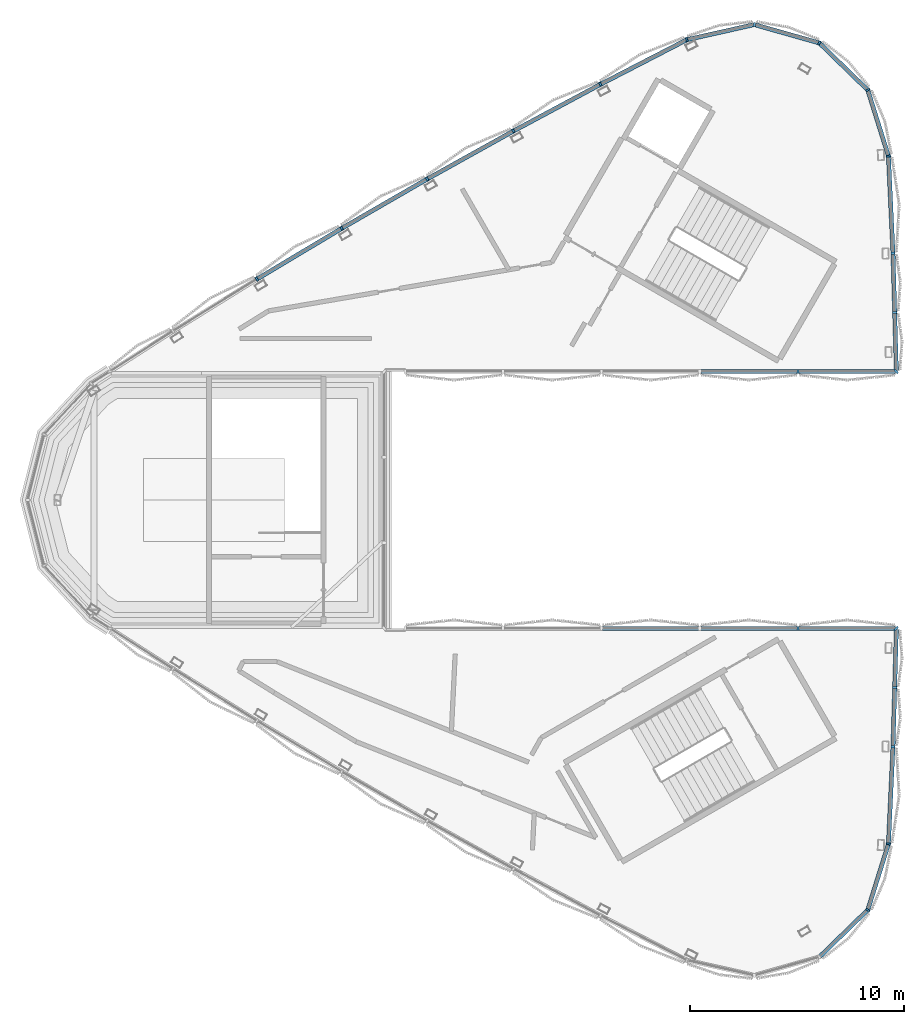
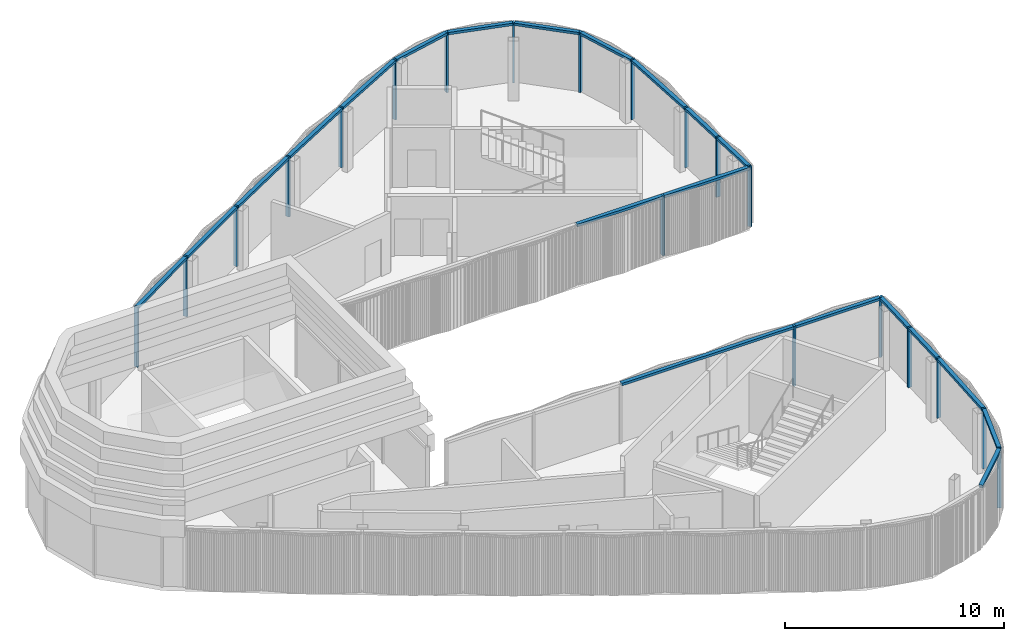
# One storey, part 4 of 16: 39 members, 2 elements without a shape of their own.
"""IFC4 building model written with IfcOpenShell, lengths in metres."""

from ifc_helpers import new_model, si_unit, direction, frame, origin, origin_2d, place, context, subcontext, project, spatial, rectangle, extrude, material, material_profile, profile_set, type_object, element, aggregate, save


model = new_model("IFC4")

# Units and contexts
model_context = context("Model", 3, precision=1e-05, world=origin(), true_north=direction((0.0, 1.0)))
body_context = subcontext(model_context, "Body", "Model", "MODEL_VIEW")
ifc_project = project(units=[si_unit("LENGTHUNIT", "METRE"), si_unit("AREAUNIT", "SQUARE_METRE"), si_unit("VOLUMEUNIT", "CUBIC_METRE"), si_unit("PLANEANGLEUNIT", "RADIAN"), si_unit("MASSUNIT", "GRAM", prefix="KILO")], contexts=[model_context])

# Site, building, storey
site_placement = place(None, origin())
site = spatial("IfcSite", under=ifc_project, at=site_placement, CompositionType="ELEMENT")
building_placement = place(site_placement, origin())
building = spatial("IfcBuilding", under=site, at=building_placement, Name="Tamra Quay Hotel Tower", CompositionType="ELEMENT")
storey_placement = place(building_placement, frame((0.0, 0.0, 327.800048828125)))
storey = spatial("IfcBuildingStorey", under=building, at=storey_placement, Name="Roof crown 3", CompositionType="ELEMENT", Elevation=327.800048828125)

# Curtain wall, members
ifc_material = material(Name="Aluminium 6063 anodised dark grey", Category="aluminium")
curtain_wall_type = type_object("IfcCurtainWallType", Name="CW6 CURTAIN WALL", PredefinedType="NOTDEFINED", material=ifc_material)
curtain_wall_1_placement = place(storey_placement, origin())
curtain_wall_1 = element("IfcCurtainWall", 1, at=curtain_wall_1_placement, inside=storey, type_object=curtain_wall_type, Name="CW6 lantern A face Roof crown 3", PredefinedType="NOTDEFINED")
ifc_material_profile_1 = material_profile(ifc_material, rectangle(XDim=0.199951171875, YDim=0.10009765625, at=origin_2d()), Name="MULLION 100X200")
ifc_profile_set_1 = profile_set([ifc_material_profile_1], Name="Aluminium 6063 anodised dark grey")
member_type_1 = type_object("IfcMemberType", Name="MULLION CW6", PredefinedType="MULLION", material=ifc_profile_set_1)
member_1_placement = place(storey_placement, frame((15.767822265625, 11.528564453125, 0.0), z_axis=(0.0, 0.0, 1.0), x_axis=(0.999287700876, 0.037737128642, 0.0)))
member_1 = element("IfcMember", 2, at=member_1_placement, type_object=member_type_1, Name="CW6 mullion Roof crown 3.A.1", PredefinedType="MULLION", context=body_context, shape_type="SweptSolid", body=[
    extrude(rectangle(XDim=0.199951171875, YDim=0.10009765625, at=origin_2d()), origin(), (0.0, 0.0, 1.0), 3.349853515625),
])
member_2_placement = place(storey_placement, frame((15.555419921875, 16.063720703125, 0.0), z_axis=(0.0, 0.0, 1.0), x_axis=(0.984739916253, 0.174032460585, 0.0)))
member_2 = element("IfcMember", 3, at=member_2_placement, type_object=member_type_1, Name="CW6 mullion Roof crown 3.A.2", PredefinedType="MULLION", context=body_context, shape_type="SweptSolid", body=[
    extrude(rectangle(XDim=0.199951171875, YDim=0.10009765625, at=origin_2d()), origin(), (0.0, 0.0, 1.0), 3.349853515625),
])
member_3_placement = place(storey_placement, frame((14.5908203125, 19.149169921875, 0.0), z_axis=(0.0, 0.0, 1.0), x_axis=(0.851964184595, 0.523600065094, 0.0)))
member_3 = element("IfcMember", 4, at=member_3_placement, type_object=member_type_1, Name="CW6 mullion Roof crown 3.A.3", PredefinedType="MULLION", context=body_context, shape_type="SweptSolid", body=[
    extrude(rectangle(XDim=0.199951171875, YDim=0.10009765625, at=origin_2d()), origin(), (0.0, 0.0, 1.0), 3.349853515625),
])
member_4_placement = place(storey_placement, frame((12.3271484375, 21.351318359375, 0.0), z_axis=(0.0, 0.0, 1.0), x_axis=(0.5, 0.866025403784, 0.0)))
member_4 = element("IfcMember", 5, at=member_4_placement, type_object=member_type_1, Name="CW6 mullion Roof crown 3.A.4", PredefinedType="MULLION", context=body_context, shape_type="SweptSolid", body=[
    extrude(rectangle(XDim=0.199951171875, YDim=0.10009765625, at=origin_2d()), origin(), (0.0, 0.0, 1.0), 3.349853515625),
])
member_5_placement = place(storey_placement, frame((9.288330078125, 22.21044921875, 0.0), z_axis=(0.0, 0.0, 1.0), x_axis=(0.027468865497, 0.999622659521, 0.0)))
member_5 = element("IfcMember", 6, at=member_5_placement, type_object=member_type_1, Name="CW6 mullion Roof crown 3.A.5", PredefinedType="MULLION", context=body_context, shape_type="SweptSolid", body=[
    extrude(rectangle(XDim=0.199951171875, YDim=0.10009765625, at=origin_2d()), origin(), (0.0, 0.0, 1.0), 3.349853515625),
])
member_6_placement = place(storey_placement, frame((6.134033203125, 21.503173828125, 0.0), z_axis=(0.0, 0.0, 1.0), x_axis=(-0.341653426177, 0.939826013888, 0.0)))
member_6 = element("IfcMember", 7, at=member_6_placement, type_object=member_type_1, Name="CW6 mullion Roof crown 3.A.6", PredefinedType="MULLION", context=body_context, shape_type="SweptSolid", body=[
    extrude(rectangle(XDim=0.199951171875, YDim=0.10009765625, at=origin_2d()), origin(), (0.0, 0.0, 1.0), 3.349853515625),
])
member_7_placement = place(storey_placement, frame((2.10009765625, 19.419677734375, 0.0), z_axis=(0.0, 0.0, 1.0), x_axis=(-0.465815600445, 0.884881814923, 0.0)))
member_7 = element("IfcMember", 8, at=member_7_placement, type_object=member_type_1, Name="CW6 mullion Roof crown 3.A.7", PredefinedType="MULLION", context=body_context, shape_type="SweptSolid", body=[
    extrude(rectangle(XDim=0.199951171875, YDim=0.10009765625, at=origin_2d()), origin(), (0.0, 0.0, 1.0), 3.349853515625),
])
member_8_placement = place(storey_placement, frame((-1.96435546875, 17.239501953125, 0.0), z_axis=(0.0, 0.0, 1.0), x_axis=(-0.479565116943, 0.877506295483, 0.0)))
member_8 = element("IfcMember", 9, at=member_8_placement, type_object=member_type_1, Name="CW6 mullion Roof crown 3.A.8", PredefinedType="MULLION", context=body_context, shape_type="SweptSolid", body=[
    extrude(rectangle(XDim=0.199951171875, YDim=0.10009765625, at=origin_2d()), origin(), (0.0, 0.0, 1.0), 3.349853515625),
])
member_9_placement = place(storey_placement, frame((-5.99462890625, 14.995849609375, 0.0), z_axis=(0.0, 0.0, 1.0), x_axis=(-0.493215722033, 0.869907036148, 0.0)))
member_9 = element("IfcMember", 10, at=member_9_placement, type_object=member_type_1, Name="CW6 mullion Roof crown 3.A.9", PredefinedType="MULLION", context=body_context, shape_type="SweptSolid", body=[
    extrude(rectangle(XDim=0.199951171875, YDim=0.10009765625, at=origin_2d()), origin(), (0.0, 0.0, 1.0), 3.349853515625),
])
member_10_placement = place(storey_placement, frame((-9.989501953125, 12.689453125, 0.0), z_axis=(0.0, 0.0, 1.0), x_axis=(-0.506753731218, 0.862090862901, 0.0)))
member_10 = element("IfcMember", 11, at=member_10_placement, type_object=member_type_1, Name="CW6 mullion Roof crown 3.A.10", PredefinedType="MULLION", context=body_context, shape_type="SweptSolid", body=[
    extrude(rectangle(XDim=0.199951171875, YDim=0.10009765625, at=origin_2d()), origin(), (0.0, 0.0, 1.0), 3.349853515625),
])
member_11_placement = place(storey_placement, frame((-13.947509765625, 10.321044921875, 0.0), z_axis=(0.0, 0.0, 1.0), x_axis=(-0.520160185397, 0.854068721783, 0.0)))
member_11 = element("IfcMember", 12, at=member_11_placement, type_object=member_type_1, Name="CW6 mullion Roof crown 3.A.11", PredefinedType="MULLION", context=body_context, shape_type="SweptSolid", body=[
    extrude(rectangle(XDim=0.199951171875, YDim=0.10009765625, at=origin_2d()), origin(), (0.0, 0.0, 1.0), 3.349853515625),
])
member_12_placement = place(storey_placement, frame((11.333740234375, 6.0, 0.0), z_axis=(0.0, 0.0, 1.0), x_axis=(0.0, -1.0, 0.0)))
member_12 = element("IfcMember", 13, at=member_12_placement, type_object=member_type_1, Name="CW6 mullion Roof crown 3.A.17", PredefinedType="MULLION", context=body_context, shape_type="SweptSolid", body=[
    extrude(rectangle(XDim=0.199951171875, YDim=0.10009765625, at=origin_2d()), origin(), (0.0, 0.0, 1.0), 3.349853515625),
])
member_13_placement = place(storey_placement, frame((15.92626953125, 6.0, 0.0), z_axis=(0.0, 0.0, 1.0), x_axis=(0.717164497017, -0.696903927538, 0.0)))
member_13 = element("IfcMember", 14, at=member_13_placement, type_object=member_type_1, Name="CW6 mullion Roof crown 3.A.18", PredefinedType="MULLION", context=body_context, shape_type="SweptSolid", body=[
    extrude(rectangle(XDim=0.199951171875, YDim=0.10009765625, at=origin_2d()), origin(), (0.0, 0.0, 1.0), 3.349853515625),
])
member_14_placement = place(storey_placement, frame((15.84716796875, 8.76416015625, 0.0), z_axis=(0.0, 0.0, 1.0), x_axis=(0.999589509324, 0.028649831581, 0.0)))
member_14 = element("IfcMember", 15, at=member_14_placement, type_object=member_type_1, Name="CW6 mullion Roof crown 3.A.19", PredefinedType="MULLION", context=body_context, shape_type="SweptSolid", body=[
    extrude(rectangle(XDim=0.199951171875, YDim=0.10009765625, at=origin_2d()), origin(), (0.0, 0.0, 1.0), 3.349853515625),
])

curtain_wall_2_placement = place(storey_placement, origin())
curtain_wall_2 = element("IfcCurtainWall", 16, at=curtain_wall_2_placement, inside=storey, type_object=curtain_wall_type, Name="CW6 lantern B face Roof crown 3", PredefinedType="NOTDEFINED")
member_15_placement = place(storey_placement, frame((15.92626953125, -6.0, 0.0), z_axis=(0.0, 0.0, 1.0), x_axis=(0.717164497017, 0.696903927538, 0.0)))
member_15 = element("IfcMember", 17, at=member_15_placement, type_object=member_type_1, Name="CW6 mullion Roof crown 3.B.1", PredefinedType="MULLION", context=body_context, shape_type="SweptSolid", body=[
    extrude(rectangle(XDim=0.199951171875, YDim=0.10009765625, at=origin_2d()), origin(), (0.0, 0.0, 1.0), 3.349853515625),
])
member_16_placement = place(storey_placement, frame((11.333740234375, -6.0, 0.0), z_axis=(0.0, 0.0, 1.0), x_axis=(0.0, 1.0, 0.0)))
member_16 = element("IfcMember", 18, at=member_16_placement, type_object=member_type_1, Name="CW6 mullion Roof crown 3.B.2", PredefinedType="MULLION", context=body_context, shape_type="SweptSolid", body=[
    extrude(rectangle(XDim=0.199951171875, YDim=0.10009765625, at=origin_2d()), origin(), (0.0, 0.0, 1.0), 3.349853515625),
])
member_17_placement = place(storey_placement, frame((14.5908203125, -19.149169921875, 0.0), z_axis=(0.0, 0.0, 1.0), x_axis=(0.851964184595, -0.523600065094, 0.0)))
member_17 = element("IfcMember", 19, at=member_17_placement, type_object=member_type_1, Name="CW6 mullion Roof crown 3.B.16", PredefinedType="MULLION", context=body_context, shape_type="SweptSolid", body=[
    extrude(rectangle(XDim=0.199951171875, YDim=0.10009765625, at=origin_2d()), origin(), (0.0, 0.0, 1.0), 3.349853515625),
])
member_18_placement = place(storey_placement, frame((15.555419921875, -16.063720703125, 0.0), z_axis=(0.0, 0.0, 1.0), x_axis=(0.984739916253, -0.174032460585, 0.0)))
member_18 = element("IfcMember", 20, at=member_18_placement, type_object=member_type_1, Name="CW6 mullion Roof crown 3.B.17", PredefinedType="MULLION", context=body_context, shape_type="SweptSolid", body=[
    extrude(rectangle(XDim=0.199951171875, YDim=0.10009765625, at=origin_2d()), origin(), (0.0, 0.0, 1.0), 3.349853515625),
])
member_19_placement = place(storey_placement, frame((15.767822265625, -11.528564453125, 0.0), z_axis=(0.0, 0.0, 1.0), x_axis=(0.999287700876, -0.037737128642, 0.0)))
member_19 = element("IfcMember", 21, at=member_19_placement, type_object=member_type_1, Name="CW6 mullion Roof crown 3.B.18", PredefinedType="MULLION", context=body_context, shape_type="SweptSolid", body=[
    extrude(rectangle(XDim=0.199951171875, YDim=0.10009765625, at=origin_2d()), origin(), (0.0, 0.0, 1.0), 3.349853515625),
])
member_20_placement = place(storey_placement, frame((15.84716796875, -8.76416015625, 0.0), z_axis=(0.0, 0.0, 1.0), x_axis=(0.999589509324, -0.028649831581, 0.0)))
member_20 = element("IfcMember", 22, at=member_20_placement, type_object=member_type_1, Name="CW6 mullion Roof crown 3.B.19", PredefinedType="MULLION", context=body_context, shape_type="SweptSolid", body=[
    extrude(rectangle(XDim=0.199951171875, YDim=0.10009765625, at=origin_2d()), origin(), (0.0, 0.0, 1.0), 3.349853515625),
])

# Member
ifc_material_profile_2 = material_profile(ifc_material, rectangle(XDim=0.199951171875, YDim=0.139892578125, at=origin_2d()), Name="TRANSOM 200X140")
ifc_profile_set_2 = profile_set([ifc_material_profile_2], Name="Aluminium 6063 anodised dark grey")
member_type_2 = type_object("IfcMemberType", Name="TRANSOM CW6", PredefinedType="USERDEFINED", material=ifc_profile_set_2)
member_21_placement = place(storey_placement, frame((15.765625, 11.578369140625, 3.280029296875), z_axis=(-0.046844159112, 0.998902209807, 0.0), x_axis=(-0.998902209807, -0.046844159112, 0.0)))
member_21 = element("IfcMember", 23, at=member_21_placement, type_object=member_type_2, Name="CW6 transom Roof crown 3.A.1", ObjectType="TRANSOM", PredefinedType="USERDEFINED", context=body_context, shape_type="SweptSolid", body=[
    extrude(rectangle(XDim=0.199951171875, YDim=0.139892578125, at=origin_2d()), origin(), (0.0, 0.0, 1.0), 4.4404296875),
])

member_22_placement = place(storey_placement, frame((15.54052734375, 16.111572265625, 3.280029296875), z_axis=(-0.298403676177, 0.954439755063, 0.0), x_axis=(-0.954439755063, -0.298403676177, 0.0)))
member_22 = element("IfcMember", 24, at=member_22_placement, type_object=member_type_2, Name="CW6 transom Roof crown 3.A.2", ObjectType="TRANSOM", PredefinedType="USERDEFINED", context=body_context, shape_type="SweptSolid", body=[
    extrude(rectangle(XDim=0.199951171875, YDim=0.139892578125, at=origin_2d()), origin(), (0.0, 0.0, 1.0), 3.1328125),
])

member_23_placement = place(storey_placement, frame((14.554931640625, 19.18408203125, 3.280029296875), z_axis=(-0.716779852689, 0.697299535909, 0.0), x_axis=(-0.697299535909, -0.716779852689, 0.0)))
member_23 = element("IfcMember", 25, at=member_23_placement, type_object=member_type_2, Name="CW6 transom Roof crown 3.A.3", ObjectType="TRANSOM", PredefinedType="USERDEFINED", context=body_context, shape_type="SweptSolid", body=[
    extrude(rectangle(XDim=0.199951171875, YDim=0.139892578125, at=origin_2d()), origin(), (0.0, 0.0, 1.0), 3.057861328125),
])

member_24_placement = place(storey_placement, frame((12.279052734375, 21.364990234375, 3.280029296875), z_axis=(-0.962273511824, 0.272083973143, 0.0), x_axis=(-0.272083973143, -0.962273511824, 0.0)))
member_24 = element("IfcMember", 26, at=member_24_placement, type_object=member_type_2, Name="CW6 transom Roof crown 3.A.4", ObjectType="TRANSOM", PredefinedType="USERDEFINED", context=body_context, shape_type="SweptSolid", body=[
    extrude(rectangle(XDim=0.199951171875, YDim=0.139892578125, at=origin_2d()), origin(), (0.0, 0.0, 1.0), 3.05810546875),
])

member_25_placement = place(storey_placement, frame((9.239501953125, 22.19970703125, 3.280029296875), z_axis=(-0.97575974355, -0.218844517563, 0.0), x_axis=(0.218844517563, -0.97575974355, 0.0)))
member_25 = element("IfcMember", 27, at=member_25_placement, type_object=member_type_2, Name="CW6 transom Roof crown 3.A.5", ObjectType="TRANSOM", PredefinedType="USERDEFINED", context=body_context, shape_type="SweptSolid", body=[
    extrude(rectangle(XDim=0.199951171875, YDim=0.139892578125, at=origin_2d()), origin(), (0.0, 0.0, 1.0), 3.132568359375),
])

member_26_placement = place(storey_placement, frame((6.089599609375, 21.480224609375, 3.280029296875), z_axis=(-0.888489056093, -0.458897806928, 0.0), x_axis=(0.458897806928, -0.888489056093, 0.0)))
member_26 = element("IfcMember", 28, at=member_26_placement, type_object=member_type_2, Name="CW6 transom Roof crown 3.A.6", ObjectType="TRANSOM", PredefinedType="USERDEFINED", context=body_context, shape_type="SweptSolid", body=[
    extrude(rectangle(XDim=0.199951171875, YDim=0.139892578125, at=origin_2d()), origin(), (0.0, 0.0, 1.0), 4.440185546875),
])

member_27_placement = place(storey_placement, frame((2.055908203125, 19.39599609375, 3.280029296875), z_axis=(-0.881213593075, -0.47271831293, 0.0), x_axis=(0.47271831293, -0.881213593075, 0.0)))
member_27 = element("IfcMember", 29, at=member_27_placement, type_object=member_type_2, Name="CW6 transom Roof crown 3.A.7", ObjectType="TRANSOM", PredefinedType="USERDEFINED", context=body_context, shape_type="SweptSolid", body=[
    extrude(rectangle(XDim=0.199951171875, YDim=0.139892578125, at=origin_2d()), origin(), (0.0, 0.0, 1.0), 4.51220703125),
])

member_28_placement = place(storey_placement, frame((-2.008056640625, 17.215087890625, 3.280029296875), z_axis=(-0.8737256573, -0.486419033114, 0.0), x_axis=(0.486419033114, -0.8737256573, 0.0)))
member_28 = element("IfcMember", 30, at=member_28_placement, type_object=member_type_2, Name="CW6 transom Roof crown 3.A.8", ObjectType="TRANSOM", PredefinedType="USERDEFINED", context=body_context, shape_type="SweptSolid", body=[
    extrude(rectangle(XDim=0.199951171875, YDim=0.139892578125, at=origin_2d()), origin(), (0.0, 0.0, 1.0), 4.5126953125),
])

member_29_placement = place(storey_placement, frame((-6.0380859375, 14.970703125, 3.280029296875), z_axis=(-0.86601710485, -0.5000143739, 0.0), x_axis=(0.5000143739, -0.86601710485, 0.0)))
member_29 = element("IfcMember", 31, at=member_29_placement, type_object=member_type_2, Name="CW6 transom Roof crown 3.A.9", ObjectType="TRANSOM", PredefinedType="USERDEFINED", context=body_context, shape_type="SweptSolid", body=[
    extrude(rectangle(XDim=0.199951171875, YDim=0.139892578125, at=origin_2d()), origin(), (0.0, 0.0, 1.0), 4.512451171875),
])

member_30_placement = place(storey_placement, frame((-10.0322265625, 12.663818359375, 3.280029296875), z_axis=(-0.858103349305, -0.513477012058, 0.0), x_axis=(0.513477012058, -0.858103349305, 0.0)))
member_30 = element("IfcMember", 32, at=member_30_placement, type_object=member_type_2, Name="CW6 transom Roof crown 3.A.10", ObjectType="TRANSOM", PredefinedType="USERDEFINED", context=body_context, shape_type="SweptSolid", body=[
    extrude(rectangle(XDim=0.199951171875, YDim=0.139892578125, at=origin_2d()), origin(), (0.0, 0.0, 1.0), 4.5126953125),
])

member_31_placement = place(storey_placement, frame((6.790771484375, 6.0, 3.280029296875), z_axis=(1.0, 0.0, 0.0), x_axis=(0.0, 1.0, 0.0)))
member_31 = element("IfcMember", 33, at=member_31_placement, type_object=member_type_2, Name="CW6 transom Roof crown 3.A.16", ObjectType="TRANSOM", PredefinedType="USERDEFINED", context=body_context, shape_type="SweptSolid", body=[
    extrude(rectangle(XDim=0.199951171875, YDim=0.139892578125, at=origin_2d()), origin(), (0.0, 0.0, 1.0), 9.085693359375),
])

member_32_placement = place(storey_placement, frame((15.925048828125, 6.050048828125, 3.280029296875), z_axis=(-0.02866959947, 0.999588942549, 0.0), x_axis=(-0.999588942549, -0.02866959947, 0.0)))
member_32 = element("IfcMember", 34, at=member_32_placement, type_object=member_type_2, Name="CW6 transom Roof crown 3.A.18", ObjectType="TRANSOM", PredefinedType="USERDEFINED", context=body_context, shape_type="SweptSolid", body=[
    extrude(rectangle(XDim=0.199951171875, YDim=0.139892578125, at=origin_2d()), origin(), (0.0, 0.0, 1.0), 2.665283203125),
])

member_33_placement = place(storey_placement, frame((15.845703125, 8.814208984375, 3.280029296875), z_axis=(-0.02866959947, 0.999588942549, 0.0), x_axis=(-0.999588942549, -0.02866959947, 0.0)))
member_33 = element("IfcMember", 35, at=member_33_placement, type_object=member_type_2, Name="CW6 transom Roof crown 3.A.19", ObjectType="TRANSOM", PredefinedType="USERDEFINED", context=body_context, shape_type="SweptSolid", body=[
    extrude(rectangle(XDim=0.199951171875, YDim=0.139892578125, at=origin_2d()), origin(), (0.0, 0.0, 1.0), 2.665283203125),
])

aggregate(curtain_wall_1, [member_1, member_21, member_2, member_22, member_3, member_23, member_4, member_24, member_5, member_25, member_6, member_26, member_7, member_27, member_8, member_28, member_9, member_29, member_10, member_30, member_11, member_31, member_12, member_13, member_32, member_14, member_33])

member_34_placement = place(storey_placement, frame((15.87646484375, -6.0, 3.280029296875), z_axis=(-1.0, 0.0, 0.0), x_axis=(0.0, -1.0, 0.0)))
member_34 = element("IfcMember", 36, at=member_34_placement, type_object=member_type_2, Name="CW6 transom Roof crown 3.B.1", ObjectType="TRANSOM", PredefinedType="USERDEFINED", context=body_context, shape_type="SweptSolid", body=[
    extrude(rectangle(XDim=0.199951171875, YDim=0.139892578125, at=origin_2d()), origin(), (0.0, 0.0, 1.0), 13.67822265625),
])

member_35_placement = place(storey_placement, frame((12.363037109375, -21.31640625, 3.280029296875), z_axis=(0.716779852689, 0.697299535909, 0.0), x_axis=(-0.697299535909, 0.716779852689, 0.0)))
member_35 = element("IfcMember", 37, at=member_35_placement, type_object=member_type_2, Name="CW6 transom Roof crown 3.B.15", ObjectType="TRANSOM", PredefinedType="USERDEFINED", context=body_context, shape_type="SweptSolid", body=[
    extrude(rectangle(XDim=0.199951171875, YDim=0.139892578125, at=origin_2d()), origin(), (0.0, 0.0, 1.0), 3.057861328125),
])

member_36_placement = place(storey_placement, frame((14.605712890625, -19.1015625, 3.280029296875), z_axis=(0.298403676177, 0.954439755063, 0.0), x_axis=(-0.954439755063, 0.298403676177, 0.0)))
member_36 = element("IfcMember", 38, at=member_36_placement, type_object=member_type_2, Name="CW6 transom Roof crown 3.B.16", ObjectType="TRANSOM", PredefinedType="USERDEFINED", context=body_context, shape_type="SweptSolid", body=[
    extrude(rectangle(XDim=0.199951171875, YDim=0.139892578125, at=origin_2d()), origin(), (0.0, 0.0, 1.0), 3.1328125),
])

member_37_placement = place(storey_placement, frame((15.5576171875, -16.013916015625, 3.280029296875), z_axis=(0.046844159112, 0.998902209807, 0.0), x_axis=(-0.998902209807, 0.046844159112, 0.0)))
member_37 = element("IfcMember", 39, at=member_37_placement, type_object=member_type_2, Name="CW6 transom Roof crown 3.B.17", ObjectType="TRANSOM", PredefinedType="USERDEFINED", context=body_context, shape_type="SweptSolid", body=[
    extrude(rectangle(XDim=0.199951171875, YDim=0.139892578125, at=origin_2d()), origin(), (0.0, 0.0, 1.0), 4.4404296875),
])

member_38_placement = place(storey_placement, frame((15.769287109375, -11.478515625, 3.280029296875), z_axis=(0.02866959947, 0.999588942549, 0.0), x_axis=(-0.999588942549, 0.02866959947, 0.0)))
member_38 = element("IfcMember", 40, at=member_38_placement, type_object=member_type_2, Name="CW6 transom Roof crown 3.B.18", ObjectType="TRANSOM", PredefinedType="USERDEFINED", context=body_context, shape_type="SweptSolid", body=[
    extrude(rectangle(XDim=0.199951171875, YDim=0.139892578125, at=origin_2d()), origin(), (0.0, 0.0, 1.0), 2.665283203125),
])

member_39_placement = place(storey_placement, frame((15.8486328125, -8.71435546875, 3.280029296875), z_axis=(0.02866959947, 0.999588942549, 0.0), x_axis=(-0.999588942549, 0.02866959947, 0.0)))
member_39 = element("IfcMember", 41, at=member_39_placement, type_object=member_type_2, Name="CW6 transom Roof crown 3.B.19", ObjectType="TRANSOM", PredefinedType="USERDEFINED", context=body_context, shape_type="SweptSolid", body=[
    extrude(rectangle(XDim=0.199951171875, YDim=0.139892578125, at=origin_2d()), origin(), (0.0, 0.0, 1.0), 2.665283203125),
])

aggregate(curtain_wall_2, [member_15, member_34, member_16, member_35, member_17, member_36, member_18, member_37, member_19, member_38, member_20, member_39])

save(model, "model.ifc")
